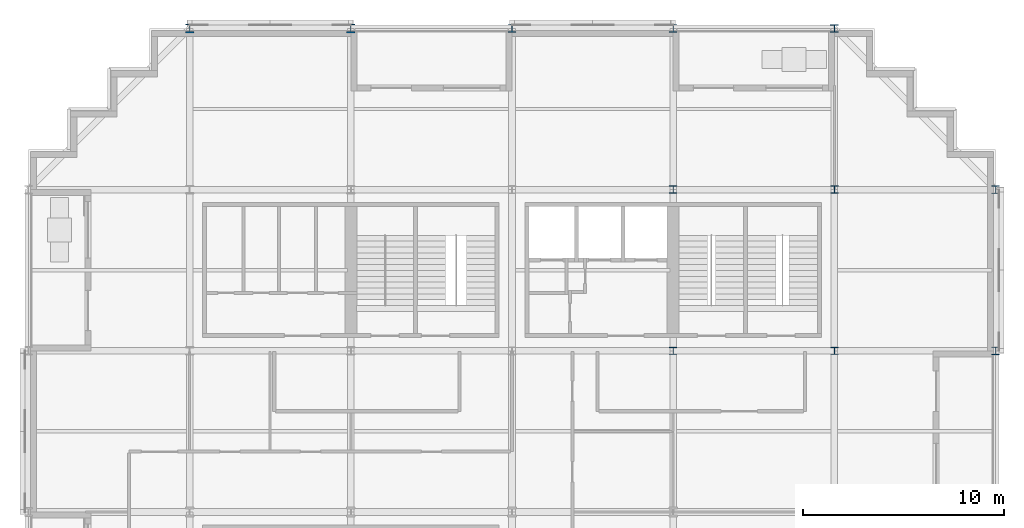
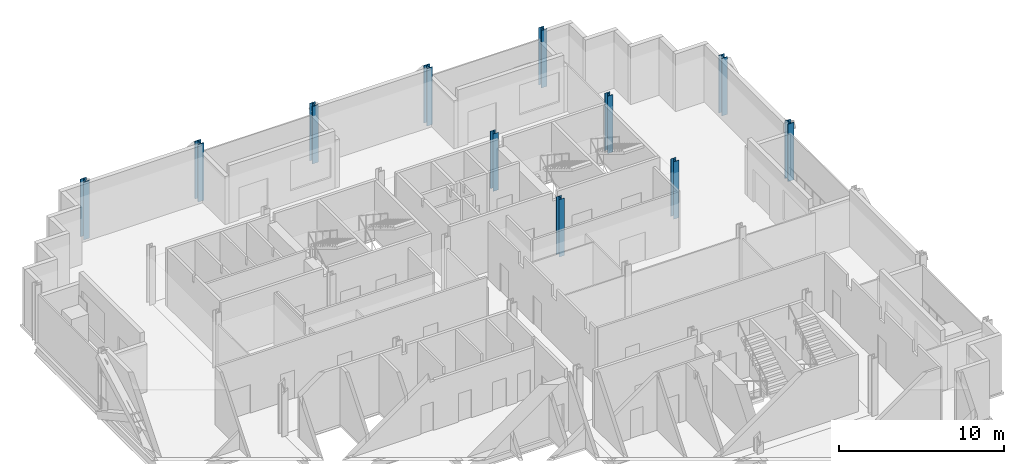
# One storey, part 2 of 13: 11 columns.
"""IFC4 building model written with IfcOpenShell, lengths in metres."""

from ifc_helpers import new_model, si_unit, direction, frame, origin, origin_2d, place, context, subcontext, project, spatial, i_section, extrude, material, material_profile, profile_set, type_object, element, save


model = new_model("IFC4")

# Units and contexts
model_context = context("Model", 3, precision=1e-05, world=origin(), true_north=direction((0.0, 1.0)))
body_context = subcontext(model_context, "Body", "Model", "MODEL_VIEW")
ifc_project = project(units=[si_unit("LENGTHUNIT", "METRE"), si_unit("AREAUNIT", "SQUARE_METRE"), si_unit("VOLUMEUNIT", "CUBIC_METRE"), si_unit("PLANEANGLEUNIT", "RADIAN"), si_unit("MASSUNIT", "GRAM", prefix="KILO")], contexts=[model_context])

# Site, building, storey
site_placement = place(None, origin())
site = spatial("IfcSite", under=ifc_project, at=site_placement, CompositionType="ELEMENT")
building_placement = place(site_placement, origin())
building = spatial("IfcBuilding", under=site, at=building_placement, Name="Immortelle Media Tower", CompositionType="ELEMENT")
storey_placement = place(building_placement, frame((0.0, 0.0, 56.800048828125)))
storey = spatial("IfcBuildingStorey", under=building, at=storey_placement, Name="L09", CompositionType="ELEMENT", Elevation=56.800048828125)

# Columns
ifc_material = material(Name="Steel ASTM A992 Gr 50", Category="steel")
ifc_material_profile_1 = material_profile(ifc_material, i_section(OverallWidth=0.39404296875, OverallDepth=0.3759765625, WebThickness=0.01708984375, FlangeThickness=0.028076171875, at=origin_2d()), Name="W14x145")
ifc_profile_set_1 = profile_set([ifc_material_profile_1], Name="Steel ASTM A992 Gr 50")
column_type_1 = type_object("IfcColumnType", Name="W14x145 column", PredefinedType="COLUMN", material=ifc_profile_set_1)
column_placement = place(storey_placement, frame((40.0, 48.0, 0.0), z_axis=(0.0, 0.0, 1.0), x_axis=(1.0, 0.0, 0.0)))
element("IfcColumn", 1, at=column_placement, inside=storey, type_object=column_type_1, Name="Column 6/G", PredefinedType="COLUMN", context=body_context, shape_type="SweptSolid", body=[
    extrude(i_section(OverallWidth=0.39404296875, OverallDepth=0.3759765625, WebThickness=0.01708984375, FlangeThickness=0.028076171875, at=origin_2d()), origin(), (0.0, 0.0, 1.0), 4.25),
])
ifc_material_profile_2 = material_profile(ifc_material, i_section(OverallWidth=0.40087890625, OverallDepth=0.39892578125, WebThickness=0.02490234375, FlangeThickness=0.0400390625, at=origin_2d()), Name="W14x211")
ifc_profile_set_2 = profile_set([ifc_material_profile_2], Name="Steel ASTM A992 Gr 50")
column_type_2 = type_object("IfcColumnType", Name="W14x211 column", PredefinedType="COLUMN", material=ifc_profile_set_2)
for number, where, z_axis, x_axis, name in (
    (2, (24.0, 48.0, 0.0), (0.0, 0.0, 1.0), (1.0, 0.0, 0.0), "Column 4/G"),
    (3, (32.0, 48.0, 0.0), (0.0, 0.0, 1.0), (1.0, 0.0, 0.0), "Column 5/G"),
    (4, (48.0, 32.0, 0.0), (0.0, 0.0, 1.0), (1.0, 0.0, 0.0), "Column 7/E"),
    (5, (48.0, 40.0, 0.0), (0.0, 0.0, 1.0), (1.0, 0.0, 0.0), "Column 7/F"),
):
    element("IfcColumn", number, at=place(storey_placement, frame(where, z_axis=z_axis, x_axis=x_axis)), inside=storey, type_object=column_type_2, Name=name, PredefinedType="COLUMN", context=body_context, shape_type="SweptSolid", body=[
        extrude(i_section(OverallWidth=0.40087890625, OverallDepth=0.39892578125, WebThickness=0.02490234375, FlangeThickness=0.0400390625, at=origin_2d()), origin(), (0.0, 0.0, 1.0), 4.25),
    ])
ifc_material_profile_3 = material_profile(ifc_material, i_section(OverallWidth=0.410888671875, OverallDepth=0.43408203125, WebThickness=0.035888671875, FlangeThickness=0.056884765625, at=origin_2d()), Name="W14x311")
ifc_profile_set_3 = profile_set([ifc_material_profile_3], Name="Steel ASTM A992 Gr 50")
column_type_3 = type_object("IfcColumnType", Name="W14x311 column", PredefinedType="COLUMN", material=ifc_profile_set_3)
for number, where, z_axis, x_axis, name in (
    (6, (8.0, 48.0, 0.0), (0.0, 0.0, 1.0), (1.0, 0.0, 0.0), "Column 2/G"),
    (7, (16.0, 48.0, 0.0), (0.0, 0.0, 1.0), (1.0, 0.0, 0.0), "Column 3/G"),
):
    element("IfcColumn", number, at=place(storey_placement, frame(where, z_axis=z_axis, x_axis=x_axis)), inside=storey, type_object=column_type_3, Name=name, PredefinedType="COLUMN", context=body_context, shape_type="SweptSolid", body=[
        extrude(i_section(OverallWidth=0.410888671875, OverallDepth=0.43408203125, WebThickness=0.035888671875, FlangeThickness=0.056884765625, at=origin_2d()), origin(), (0.0, 0.0, 1.0), 4.25),
    ])
ifc_material_profile_4 = material_profile(ifc_material, i_section(OverallWidth=0.37109375, OverallDepth=0.361083984375, WebThickness=0.011962890625, FlangeThickness=0.02001953125, at=origin_2d()), Name="W14x99")
ifc_profile_set_4 = profile_set([ifc_material_profile_4], Name="Steel ASTM A992 Gr 50")
column_type_4 = type_object("IfcColumnType", Name="W14x99 column", PredefinedType="COLUMN", material=ifc_profile_set_4)
for number, where, z_axis, x_axis, name in (
    (8, (32.0, 32.0, 0.0), (0.0, 0.0, 1.0), (1.0, 0.0, 0.0), "Column 5/E"),
    (9, (32.0, 40.0, 0.0), (0.0, 0.0, 1.0), (1.0, 0.0, 0.0), "Column 5/F"),
    (10, (40.0, 32.0, 0.0), (0.0, 0.0, 1.0), (1.0, 0.0, 0.0), "Column 6/E"),
    (11, (40.0, 40.0, 0.0), (0.0, 0.0, 1.0), (1.0, 0.0, 0.0), "Column 6/F"),
):
    element("IfcColumn", number, at=place(storey_placement, frame(where, z_axis=z_axis, x_axis=x_axis)), inside=storey, type_object=column_type_4, Name=name, PredefinedType="COLUMN", context=body_context, shape_type="SweptSolid", body=[
        extrude(i_section(OverallWidth=0.37109375, OverallDepth=0.361083984375, WebThickness=0.011962890625, FlangeThickness=0.02001953125, at=origin_2d()), origin(), (0.0, 0.0, 1.0), 4.25),
    ])

save(model, "model.ifc")
